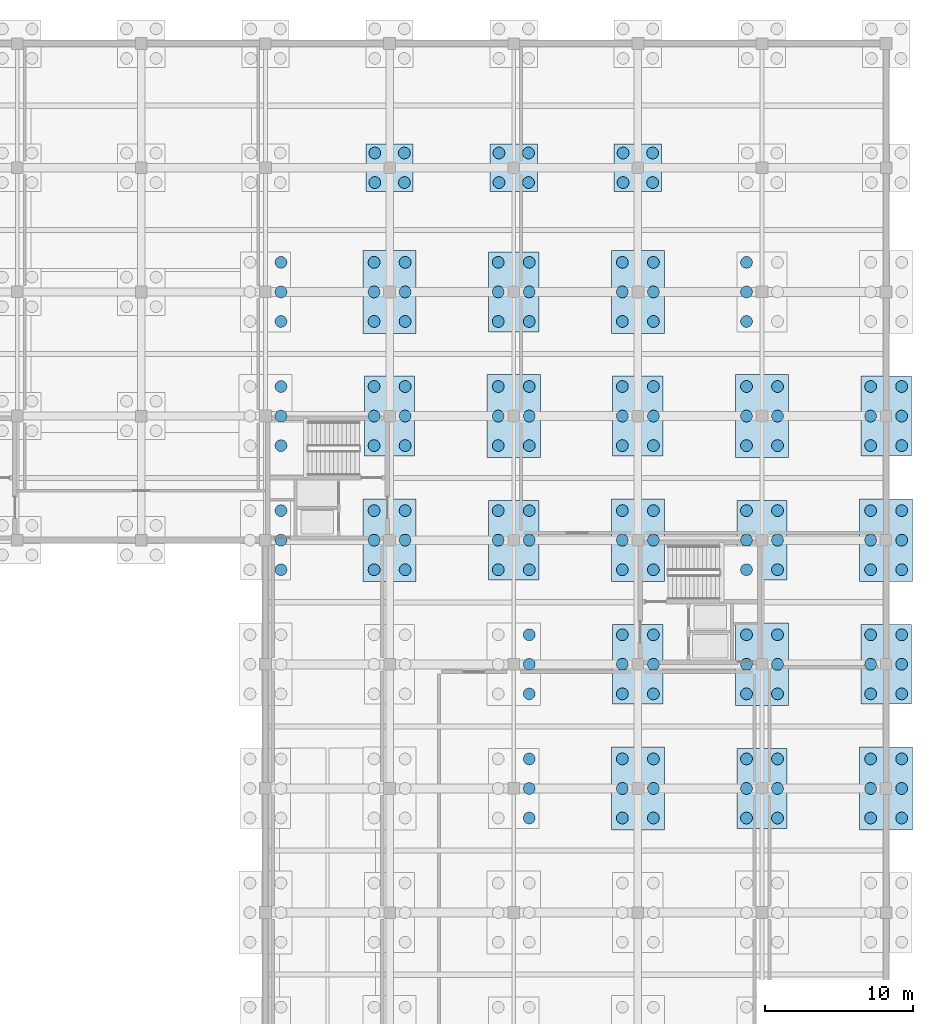
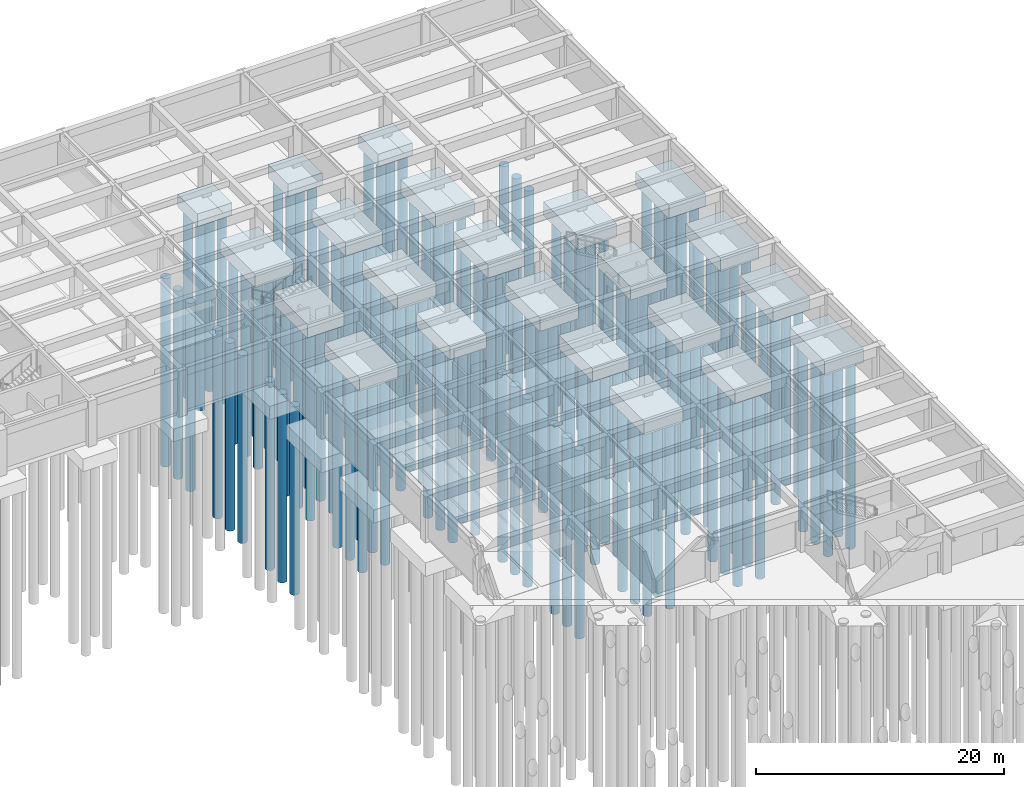
# One storey, part 6 of 33: 144 piles, 22 footings.
"""IFC4 building model written with IfcOpenShell, lengths in metres."""

from ifc_helpers import new_model, si_unit, direction, frame, origin, origin_2d, place, context, subcontext, project, spatial, rectangle, circle, extrude, material, material_profile, profile_set, type_object, element, save


model = new_model("IFC4")

# Units and contexts
model_context = context("Model", 3, precision=1e-05, world=origin(), true_north=direction((0.0, 1.0)))
body_context = subcontext(model_context, "Body", "Model", "MODEL_VIEW")
ifc_project = project(units=[si_unit("LENGTHUNIT", "METRE"), si_unit("AREAUNIT", "SQUARE_METRE"), si_unit("VOLUMEUNIT", "CUBIC_METRE"), si_unit("PLANEANGLEUNIT", "RADIAN"), si_unit("MASSUNIT", "GRAM", prefix="KILO")], contexts=[model_context])

# Site, building, storey
site_placement = place(None, origin())
site = spatial("IfcSite", under=ifc_project, at=site_placement, CompositionType="ELEMENT")
building_placement = place(site_placement, origin())
building = spatial("IfcBuilding", under=site, at=building_placement, Name="Kveldsbrygga Polytechnic", CompositionType="ELEMENT")
storey_placement = place(building_placement, frame((0.0, 0.0, -4.419921875)))
storey = spatial("IfcBuildingStorey", under=building, at=storey_placement, Name="B1", CompositionType="ELEMENT", Elevation=-4.419921875)

# Footings
ifc_material = material(Name="Concrete C45/55", Category="concrete")
footing_type_1 = type_object("IfcFootingType", Name="PC-4P-LRG", PredefinedType="PILE_CAP", material=ifc_material)
for number, where, z_axis, x_axis, name in (
    (1, (134.39990234375, 109.199951171875, -1.650146484375), (0.0, 0.0, 1.0), (1.0, 0.0, 0.0), "Foundation FND-16-13"),
    (2, (142.800048828125, 109.199951171875, -1.650146484375), (0.0, 0.0, 1.0), (1.0, 0.0, 0.0), "Foundation FND-17-13"),
    (3, (151.199951171875, 109.199951171875, -1.650146484375), (0.0, 0.0, 1.0), (1.0, 0.0, 0.0), "Foundation FND-18-13"),
):
    element("IfcFooting", number, at=place(storey_placement, frame(where, z_axis=z_axis, x_axis=x_axis)), inside=storey, type_object=footing_type_1, Name=name, PredefinedType="PILE_CAP", context=body_context, shape_type="SweptSolid", body=[
        extrude(rectangle(XDim=3.199951171875, YDim=3.199951171875, at=origin_2d()), origin(), (0.0, 0.0, 1.0), 1.25),
    ])
footing_type_2 = type_object("IfcFootingType", Name="PC-6P-CORE", PredefinedType="PILE_CAP", material=ifc_material)
for number, where, z_axis, x_axis, name in (
    (4, (134.39990234375, 84.0, -1.750244140625), (0.0, 0.0, 1.0), (1.0, 0.0, 0.0), "Foundation FND-16-10"),
    (5, (134.39990234375, 100.800048828125, -1.750244140625), (0.0, 0.0, 1.0), (1.0, 0.0, 0.0), "Foundation FND-16-12"),
    (6, (142.800048828125, 92.39990234375, -1.750244140625), (0.0, 0.0, 1.0), (1.0, 0.0, 0.0), "Foundation FND-17-11"),
    (7, (151.199951171875, 67.199951171875, -1.750244140625), (0.0, 0.0, 1.0), (1.0, 0.0, 0.0), "Foundation FND-18-08"),
    (8, (151.199951171875, 84.0, -1.750244140625), (0.0, 0.0, 1.0), (1.0, 0.0, 0.0), "Foundation FND-18-10"),
    (9, (151.199951171875, 100.800048828125, -1.750244140625), (0.0, 0.0, 1.0), (1.0, 0.0, 0.0), "Foundation FND-18-12"),
    (10, (159.60009765625, 75.60009765625, -1.750244140625), (0.0, 0.0, 1.0), (1.0, 0.0, 0.0), "Foundation FND-19-09"),
    (11, (159.60009765625, 92.39990234375, -1.750244140625), (0.0, 0.0, 1.0), (1.0, 0.0, 0.0), "Foundation FND-19-11"),
    (12, (168.0, 67.199951171875, -1.750244140625), (0.0, 0.0, 1.0), (1.0, 0.0, 0.0), "Foundation FND-20-08"),
    (13, (168.0, 84.0, -1.750244140625), (0.0, 0.0, 1.0), (1.0, 0.0, 0.0), "Foundation FND-20-10"),
):
    element("IfcFooting", number, at=place(storey_placement, frame(where, z_axis=z_axis, x_axis=x_axis)), inside=storey, type_object=footing_type_2, Name=name, PredefinedType="PILE_CAP", context=body_context, shape_type="SweptSolid", body=[
        extrude(rectangle(XDim=3.60009765625, YDim=5.60009765625, at=origin_2d()), origin(), (0.0, 0.0, 1.0), 1.35009765625),
    ])
footing_type_3 = type_object("IfcFootingType", Name="PC-6P-HEAVY", PredefinedType="PILE_CAP", material=ifc_material)
for number, where, z_axis, x_axis, name in (
    (14, (134.39990234375, 92.39990234375, -1.7001953125), (0.0, 0.0, 1.0), (1.0, 0.0, 0.0), "Foundation FND-16-11"),
    (15, (142.800048828125, 84.0, -1.7001953125), (0.0, 0.0, 1.0), (1.0, 0.0, 0.0), "Foundation FND-17-10"),
    (16, (142.800048828125, 100.800048828125, -1.7001953125), (0.0, 0.0, 1.0), (1.0, 0.0, 0.0), "Foundation FND-17-12"),
    (17, (151.199951171875, 75.60009765625, -1.7001953125), (0.0, 0.0, 1.0), (1.0, 0.0, 0.0), "Foundation FND-18-09"),
    (18, (151.199951171875, 92.39990234375, -1.7001953125), (0.0, 0.0, 1.0), (1.0, 0.0, 0.0), "Foundation FND-18-11"),
    (19, (159.60009765625, 67.199951171875, -1.7001953125), (0.0, 0.0, 1.0), (1.0, 0.0, 0.0), "Foundation FND-19-08"),
    (20, (159.60009765625, 84.0, -1.7001953125), (0.0, 0.0, 1.0), (1.0, 0.0, 0.0), "Foundation FND-19-10"),
    (21, (168.0, 75.60009765625, -1.7001953125), (0.0, 0.0, 1.0), (1.0, 0.0, 0.0), "Foundation FND-20-09"),
    (22, (168.0, 92.39990234375, -1.7001953125), (0.0, 0.0, 1.0), (1.0, 0.0, 0.0), "Foundation FND-20-11"),
):
    element("IfcFooting", number, at=place(storey_placement, frame(where, z_axis=z_axis, x_axis=x_axis)), inside=storey, type_object=footing_type_3, Name=name, PredefinedType="PILE_CAP", context=body_context, shape_type="SweptSolid", body=[
        extrude(rectangle(XDim=3.39990234375, YDim=5.39990234375, at=origin_2d()), origin(), (0.0, 0.0, 1.0), 1.300048828125),
    ])

# Piles
ifc_material_profile = material_profile(ifc_material, circle(Radius=0.39990234375, at=origin_2d()), Name="PILE D800")
ifc_profile_set = profile_set([ifc_material_profile], Name="Concrete C45/55")
pile_type = type_object("IfcPileType", Name="PILE-D800", PredefinedType="BORED", material=ifc_profile_set)
for number, where, z_axis, x_axis, name in (
    (23, (127.050048828125, 82.0, -1.550048828125), (0.0, 0.0, -1.0), (1.0, 0.0, 0.0), "Bored Pile PIL-15-10-2"),
    (24, (127.050048828125, 84.0, -1.550048828125), (0.0, 0.0, -1.0), (1.0, 0.0, 0.0), "Bored Pile PIL-15-10-4"),
    (25, (127.050048828125, 86.0, -1.550048828125), (0.0, 0.0, -1.0), (1.0, 0.0, 0.0), "Bored Pile PIL-15-10-6"),
):
    element("IfcPile", number, at=place(storey_placement, frame(where, z_axis=z_axis, x_axis=x_axis)), inside=storey, type_object=pile_type, Name=name, PredefinedType="BORED", context=body_context, shape_type="SweptSolid", body=[
        extrude(circle(Radius=0.39990234375, at=origin_2d()), origin(), (0.0, 0.0, 1.0), 18.530029296875),
    ])
for number, where, z_axis, x_axis, name in (
    (26, (127.050048828125, 90.39990234375, -1.60009765625), (0.0, 0.0, -1.0), (1.0, 0.0, 0.0), "Bored Pile PIL-15-11-2"),
    (27, (127.050048828125, 92.39990234375, -1.60009765625), (0.0, 0.0, -1.0), (1.0, 0.0, 0.0), "Bored Pile PIL-15-11-4"),
    (28, (127.050048828125, 94.39990234375, -1.60009765625), (0.0, 0.0, -1.0), (1.0, 0.0, 0.0), "Bored Pile PIL-15-11-6"),
):
    element("IfcPile", number, at=place(storey_placement, frame(where, z_axis=z_axis, x_axis=x_axis)), inside=storey, type_object=pile_type, Name=name, PredefinedType="BORED", context=body_context, shape_type="SweptSolid", body=[
        extrude(circle(Radius=0.39990234375, at=origin_2d()), origin(), (0.0, 0.0, 1.0), 18.47998046875),
    ])
for number, where, z_axis, x_axis, name in (
    (29, (127.050048828125, 98.800048828125, -1.550048828125), (0.0, 0.0, -1.0), (1.0, 0.0, 0.0), "Bored Pile PIL-15-12-2"),
    (30, (127.050048828125, 100.800048828125, -1.550048828125), (0.0, 0.0, -1.0), (1.0, 0.0, 0.0), "Bored Pile PIL-15-12-4"),
    (31, (127.050048828125, 102.800048828125, -1.550048828125), (0.0, 0.0, -1.0), (1.0, 0.0, 0.0), "Bored Pile PIL-15-12-6"),
):
    element("IfcPile", number, at=place(storey_placement, frame(where, z_axis=z_axis, x_axis=x_axis)), inside=storey, type_object=pile_type, Name=name, PredefinedType="BORED", context=body_context, shape_type="SweptSolid", body=[
        extrude(circle(Radius=0.39990234375, at=origin_2d()), origin(), (0.0, 0.0, 1.0), 18.530029296875),
    ])
for number, where, z_axis, x_axis, name in (
    (32, (133.35009765625, 82.0, -1.60009765625), (0.0, 0.0, -1.0), (1.0, 0.0, 0.0), "Bored Pile PIL-16-10-1"),
    (33, (135.449951171875, 82.0, -1.60009765625), (0.0, 0.0, -1.0), (1.0, 0.0, 0.0), "Bored Pile PIL-16-10-2"),
    (34, (133.35009765625, 84.0, -1.60009765625), (0.0, 0.0, -1.0), (1.0, 0.0, 0.0), "Bored Pile PIL-16-10-3"),
    (35, (135.449951171875, 84.0, -1.60009765625), (0.0, 0.0, -1.0), (1.0, 0.0, 0.0), "Bored Pile PIL-16-10-4"),
    (36, (133.35009765625, 86.0, -1.60009765625), (0.0, 0.0, -1.0), (1.0, 0.0, 0.0), "Bored Pile PIL-16-10-5"),
    (37, (135.449951171875, 86.0, -1.60009765625), (0.0, 0.0, -1.0), (1.0, 0.0, 0.0), "Bored Pile PIL-16-10-6"),
):
    element("IfcPile", number, at=place(storey_placement, frame(where, z_axis=z_axis, x_axis=x_axis)), inside=storey, type_object=pile_type, Name=name, PredefinedType="BORED", context=body_context, shape_type="SweptSolid", body=[
        extrude(circle(Radius=0.39990234375, at=origin_2d()), origin(), (0.0, 0.0, 1.0), 18.47998046875),
    ])
for number, where, z_axis, x_axis, name in (
    (38, (133.35009765625, 90.39990234375, -1.550048828125), (0.0, 0.0, -1.0), (1.0, 0.0, 0.0), "Bored Pile PIL-16-11-1"),
    (39, (135.449951171875, 90.39990234375, -1.550048828125), (0.0, 0.0, -1.0), (1.0, 0.0, 0.0), "Bored Pile PIL-16-11-2"),
    (40, (133.35009765625, 92.39990234375, -1.550048828125), (0.0, 0.0, -1.0), (1.0, 0.0, 0.0), "Bored Pile PIL-16-11-3"),
    (41, (135.449951171875, 92.39990234375, -1.550048828125), (0.0, 0.0, -1.0), (1.0, 0.0, 0.0), "Bored Pile PIL-16-11-4"),
    (42, (133.35009765625, 94.39990234375, -1.550048828125), (0.0, 0.0, -1.0), (1.0, 0.0, 0.0), "Bored Pile PIL-16-11-5"),
    (43, (135.449951171875, 94.39990234375, -1.550048828125), (0.0, 0.0, -1.0), (1.0, 0.0, 0.0), "Bored Pile PIL-16-11-6"),
):
    element("IfcPile", number, at=place(storey_placement, frame(where, z_axis=z_axis, x_axis=x_axis)), inside=storey, type_object=pile_type, Name=name, PredefinedType="BORED", context=body_context, shape_type="SweptSolid", body=[
        extrude(circle(Radius=0.39990234375, at=origin_2d()), origin(), (0.0, 0.0, 1.0), 18.530029296875),
    ])
for number, where, z_axis, x_axis, name in (
    (44, (133.35009765625, 98.800048828125, -1.60009765625), (0.0, 0.0, -1.0), (1.0, 0.0, 0.0), "Bored Pile PIL-16-12-1"),
    (45, (135.449951171875, 98.800048828125, -1.60009765625), (0.0, 0.0, -1.0), (1.0, 0.0, 0.0), "Bored Pile PIL-16-12-2"),
    (46, (133.35009765625, 100.800048828125, -1.60009765625), (0.0, 0.0, -1.0), (1.0, 0.0, 0.0), "Bored Pile PIL-16-12-3"),
    (47, (135.449951171875, 100.800048828125, -1.60009765625), (0.0, 0.0, -1.0), (1.0, 0.0, 0.0), "Bored Pile PIL-16-12-4"),
    (48, (133.35009765625, 102.800048828125, -1.60009765625), (0.0, 0.0, -1.0), (1.0, 0.0, 0.0), "Bored Pile PIL-16-12-5"),
    (49, (135.449951171875, 102.800048828125, -1.60009765625), (0.0, 0.0, -1.0), (1.0, 0.0, 0.0), "Bored Pile PIL-16-12-6"),
):
    element("IfcPile", number, at=place(storey_placement, frame(where, z_axis=z_axis, x_axis=x_axis)), inside=storey, type_object=pile_type, Name=name, PredefinedType="BORED", context=body_context, shape_type="SweptSolid", body=[
        extrude(circle(Radius=0.39990234375, at=origin_2d()), origin(), (0.0, 0.0, 1.0), 18.47998046875),
    ])
for number, where, z_axis, x_axis, name in (
    (50, (133.39990234375, 108.199951171875, -1.5), (0.0, 0.0, -1.0), (1.0, 0.0, 0.0), "Bored Pile PIL-16-13-1"),
    (51, (135.39990234375, 108.199951171875, -1.5), (0.0, 0.0, -1.0), (1.0, 0.0, 0.0), "Bored Pile PIL-16-13-2"),
    (52, (133.39990234375, 110.199951171875, -1.5), (0.0, 0.0, -1.0), (1.0, 0.0, 0.0), "Bored Pile PIL-16-13-3"),
    (53, (135.39990234375, 110.199951171875, -1.5), (0.0, 0.0, -1.0), (1.0, 0.0, 0.0), "Bored Pile PIL-16-13-4"),
):
    element("IfcPile", number, at=place(storey_placement, frame(where, z_axis=z_axis, x_axis=x_axis)), inside=storey, type_object=pile_type, Name=name, PredefinedType="BORED", context=body_context, shape_type="SweptSolid", body=[
        extrude(circle(Radius=0.39990234375, at=origin_2d()), origin(), (0.0, 0.0, 1.0), 18.580078125),
    ])
for number, where, z_axis, x_axis, name in (
    (54, (143.85009765625, 65.199951171875, -1.550048828125), (0.0, 0.0, -1.0), (1.0, 0.0, 0.0), "Bored Pile PIL-17-08-2"),
    (55, (143.85009765625, 67.199951171875, -1.550048828125), (0.0, 0.0, -1.0), (1.0, 0.0, 0.0), "Bored Pile PIL-17-08-4"),
    (56, (143.85009765625, 69.199951171875, -1.550048828125), (0.0, 0.0, -1.0), (1.0, 0.0, 0.0), "Bored Pile PIL-17-08-6"),
):
    element("IfcPile", number, at=place(storey_placement, frame(where, z_axis=z_axis, x_axis=x_axis)), inside=storey, type_object=pile_type, Name=name, PredefinedType="BORED", context=body_context, shape_type="SweptSolid", body=[
        extrude(circle(Radius=0.39990234375, at=origin_2d()), origin(), (0.0, 0.0, 1.0), 18.530029296875),
    ])
for number, where, z_axis, x_axis, name in (
    (57, (143.85009765625, 73.60009765625, -1.60009765625), (0.0, 0.0, -1.0), (1.0, 0.0, 0.0), "Bored Pile PIL-17-09-2"),
    (58, (143.85009765625, 75.60009765625, -1.60009765625), (0.0, 0.0, -1.0), (1.0, 0.0, 0.0), "Bored Pile PIL-17-09-4"),
    (59, (143.85009765625, 77.60009765625, -1.60009765625), (0.0, 0.0, -1.0), (1.0, 0.0, 0.0), "Bored Pile PIL-17-09-6"),
):
    element("IfcPile", number, at=place(storey_placement, frame(where, z_axis=z_axis, x_axis=x_axis)), inside=storey, type_object=pile_type, Name=name, PredefinedType="BORED", context=body_context, shape_type="SweptSolid", body=[
        extrude(circle(Radius=0.39990234375, at=origin_2d()), origin(), (0.0, 0.0, 1.0), 18.47998046875),
    ])
for number, where, z_axis, x_axis, name in (
    (60, (141.75, 82.0, -1.550048828125), (0.0, 0.0, -1.0), (1.0, 0.0, 0.0), "Bored Pile PIL-17-10-1"),
    (61, (143.85009765625, 82.0, -1.550048828125), (0.0, 0.0, -1.0), (1.0, 0.0, 0.0), "Bored Pile PIL-17-10-2"),
    (62, (141.75, 84.0, -1.550048828125), (0.0, 0.0, -1.0), (1.0, 0.0, 0.0), "Bored Pile PIL-17-10-3"),
    (63, (143.85009765625, 84.0, -1.550048828125), (0.0, 0.0, -1.0), (1.0, 0.0, 0.0), "Bored Pile PIL-17-10-4"),
    (64, (141.75, 86.0, -1.550048828125), (0.0, 0.0, -1.0), (1.0, 0.0, 0.0), "Bored Pile PIL-17-10-5"),
    (65, (143.85009765625, 86.0, -1.550048828125), (0.0, 0.0, -1.0), (1.0, 0.0, 0.0), "Bored Pile PIL-17-10-6"),
):
    element("IfcPile", number, at=place(storey_placement, frame(where, z_axis=z_axis, x_axis=x_axis)), inside=storey, type_object=pile_type, Name=name, PredefinedType="BORED", context=body_context, shape_type="SweptSolid", body=[
        extrude(circle(Radius=0.39990234375, at=origin_2d()), origin(), (0.0, 0.0, 1.0), 18.530029296875),
    ])
for number, where, z_axis, x_axis, name in (
    (66, (141.75, 90.39990234375, -1.60009765625), (0.0, 0.0, -1.0), (1.0, 0.0, 0.0), "Bored Pile PIL-17-11-1"),
    (67, (143.85009765625, 90.39990234375, -1.60009765625), (0.0, 0.0, -1.0), (1.0, 0.0, 0.0), "Bored Pile PIL-17-11-2"),
    (68, (141.75, 92.39990234375, -1.60009765625), (0.0, 0.0, -1.0), (1.0, 0.0, 0.0), "Bored Pile PIL-17-11-3"),
    (69, (143.85009765625, 92.39990234375, -1.60009765625), (0.0, 0.0, -1.0), (1.0, 0.0, 0.0), "Bored Pile PIL-17-11-4"),
    (70, (141.75, 94.39990234375, -1.60009765625), (0.0, 0.0, -1.0), (1.0, 0.0, 0.0), "Bored Pile PIL-17-11-5"),
    (71, (143.85009765625, 94.39990234375, -1.60009765625), (0.0, 0.0, -1.0), (1.0, 0.0, 0.0), "Bored Pile PIL-17-11-6"),
):
    element("IfcPile", number, at=place(storey_placement, frame(where, z_axis=z_axis, x_axis=x_axis)), inside=storey, type_object=pile_type, Name=name, PredefinedType="BORED", context=body_context, shape_type="SweptSolid", body=[
        extrude(circle(Radius=0.39990234375, at=origin_2d()), origin(), (0.0, 0.0, 1.0), 18.47998046875),
    ])
for number, where, z_axis, x_axis, name in (
    (72, (141.75, 98.800048828125, -1.550048828125), (0.0, 0.0, -1.0), (1.0, 0.0, 0.0), "Bored Pile PIL-17-12-1"),
    (73, (143.85009765625, 98.800048828125, -1.550048828125), (0.0, 0.0, -1.0), (1.0, 0.0, 0.0), "Bored Pile PIL-17-12-2"),
    (74, (141.75, 100.800048828125, -1.550048828125), (0.0, 0.0, -1.0), (1.0, 0.0, 0.0), "Bored Pile PIL-17-12-3"),
    (75, (143.85009765625, 100.800048828125, -1.550048828125), (0.0, 0.0, -1.0), (1.0, 0.0, 0.0), "Bored Pile PIL-17-12-4"),
    (76, (141.75, 102.800048828125, -1.550048828125), (0.0, 0.0, -1.0), (1.0, 0.0, 0.0), "Bored Pile PIL-17-12-5"),
    (77, (143.85009765625, 102.800048828125, -1.550048828125), (0.0, 0.0, -1.0), (1.0, 0.0, 0.0), "Bored Pile PIL-17-12-6"),
):
    element("IfcPile", number, at=place(storey_placement, frame(where, z_axis=z_axis, x_axis=x_axis)), inside=storey, type_object=pile_type, Name=name, PredefinedType="BORED", context=body_context, shape_type="SweptSolid", body=[
        extrude(circle(Radius=0.39990234375, at=origin_2d()), origin(), (0.0, 0.0, 1.0), 18.530029296875),
    ])
for number, where, z_axis, x_axis, name in (
    (78, (141.800048828125, 108.199951171875, -1.5), (0.0, 0.0, -1.0), (1.0, 0.0, 0.0), "Bored Pile PIL-17-13-1"),
    (79, (143.800048828125, 108.199951171875, -1.5), (0.0, 0.0, -1.0), (1.0, 0.0, 0.0), "Bored Pile PIL-17-13-2"),
    (80, (141.800048828125, 110.199951171875, -1.5), (0.0, 0.0, -1.0), (1.0, 0.0, 0.0), "Bored Pile PIL-17-13-3"),
    (81, (143.800048828125, 110.199951171875, -1.5), (0.0, 0.0, -1.0), (1.0, 0.0, 0.0), "Bored Pile PIL-17-13-4"),
):
    element("IfcPile", number, at=place(storey_placement, frame(where, z_axis=z_axis, x_axis=x_axis)), inside=storey, type_object=pile_type, Name=name, PredefinedType="BORED", context=body_context, shape_type="SweptSolid", body=[
        extrude(circle(Radius=0.39990234375, at=origin_2d()), origin(), (0.0, 0.0, 1.0), 18.580078125),
    ])
for number, where, z_axis, x_axis, name in (
    (82, (150.14990234375, 65.199951171875, -1.60009765625), (0.0, 0.0, -1.0), (1.0, 0.0, 0.0), "Bored Pile PIL-18-08-1"),
    (83, (152.25, 65.199951171875, -1.60009765625), (0.0, 0.0, -1.0), (1.0, 0.0, 0.0), "Bored Pile PIL-18-08-2"),
    (84, (150.14990234375, 67.199951171875, -1.60009765625), (0.0, 0.0, -1.0), (1.0, 0.0, 0.0), "Bored Pile PIL-18-08-3"),
    (85, (152.25, 67.199951171875, -1.60009765625), (0.0, 0.0, -1.0), (1.0, 0.0, 0.0), "Bored Pile PIL-18-08-4"),
    (86, (150.14990234375, 69.199951171875, -1.60009765625), (0.0, 0.0, -1.0), (1.0, 0.0, 0.0), "Bored Pile PIL-18-08-5"),
    (87, (152.25, 69.199951171875, -1.60009765625), (0.0, 0.0, -1.0), (1.0, 0.0, 0.0), "Bored Pile PIL-18-08-6"),
):
    element("IfcPile", number, at=place(storey_placement, frame(where, z_axis=z_axis, x_axis=x_axis)), inside=storey, type_object=pile_type, Name=name, PredefinedType="BORED", context=body_context, shape_type="SweptSolid", body=[
        extrude(circle(Radius=0.39990234375, at=origin_2d()), origin(), (0.0, 0.0, 1.0), 18.47998046875),
    ])
for number, where, z_axis, x_axis, name in (
    (88, (150.14990234375, 73.60009765625, -1.550048828125), (0.0, 0.0, -1.0), (1.0, 0.0, 0.0), "Bored Pile PIL-18-09-1"),
    (89, (152.25, 73.60009765625, -1.550048828125), (0.0, 0.0, -1.0), (1.0, 0.0, 0.0), "Bored Pile PIL-18-09-2"),
    (90, (150.14990234375, 75.60009765625, -1.550048828125), (0.0, 0.0, -1.0), (1.0, 0.0, 0.0), "Bored Pile PIL-18-09-3"),
    (91, (152.25, 75.60009765625, -1.550048828125), (0.0, 0.0, -1.0), (1.0, 0.0, 0.0), "Bored Pile PIL-18-09-4"),
    (92, (150.14990234375, 77.60009765625, -1.550048828125), (0.0, 0.0, -1.0), (1.0, 0.0, 0.0), "Bored Pile PIL-18-09-5"),
    (93, (152.25, 77.60009765625, -1.550048828125), (0.0, 0.0, -1.0), (1.0, 0.0, 0.0), "Bored Pile PIL-18-09-6"),
):
    element("IfcPile", number, at=place(storey_placement, frame(where, z_axis=z_axis, x_axis=x_axis)), inside=storey, type_object=pile_type, Name=name, PredefinedType="BORED", context=body_context, shape_type="SweptSolid", body=[
        extrude(circle(Radius=0.39990234375, at=origin_2d()), origin(), (0.0, 0.0, 1.0), 18.530029296875),
    ])
for number, where, z_axis, x_axis, name in (
    (94, (150.14990234375, 82.0, -1.60009765625), (0.0, 0.0, -1.0), (1.0, 0.0, 0.0), "Bored Pile PIL-18-10-1"),
    (95, (152.25, 82.0, -1.60009765625), (0.0, 0.0, -1.0), (1.0, 0.0, 0.0), "Bored Pile PIL-18-10-2"),
    (96, (150.14990234375, 84.0, -1.60009765625), (0.0, 0.0, -1.0), (1.0, 0.0, 0.0), "Bored Pile PIL-18-10-3"),
    (97, (152.25, 84.0, -1.60009765625), (0.0, 0.0, -1.0), (1.0, 0.0, 0.0), "Bored Pile PIL-18-10-4"),
    (98, (150.14990234375, 86.0, -1.60009765625), (0.0, 0.0, -1.0), (1.0, 0.0, 0.0), "Bored Pile PIL-18-10-5"),
    (99, (152.25, 86.0, -1.60009765625), (0.0, 0.0, -1.0), (1.0, 0.0, 0.0), "Bored Pile PIL-18-10-6"),
):
    element("IfcPile", number, at=place(storey_placement, frame(where, z_axis=z_axis, x_axis=x_axis)), inside=storey, type_object=pile_type, Name=name, PredefinedType="BORED", context=body_context, shape_type="SweptSolid", body=[
        extrude(circle(Radius=0.39990234375, at=origin_2d()), origin(), (0.0, 0.0, 1.0), 18.47998046875),
    ])
for number, where, z_axis, x_axis, name in (
    (100, (150.14990234375, 90.39990234375, -1.550048828125), (0.0, 0.0, -1.0), (1.0, 0.0, 0.0), "Bored Pile PIL-18-11-1"),
    (101, (152.25, 90.39990234375, -1.550048828125), (0.0, 0.0, -1.0), (1.0, 0.0, 0.0), "Bored Pile PIL-18-11-2"),
    (102, (150.14990234375, 92.39990234375, -1.550048828125), (0.0, 0.0, -1.0), (1.0, 0.0, 0.0), "Bored Pile PIL-18-11-3"),
    (103, (152.25, 92.39990234375, -1.550048828125), (0.0, 0.0, -1.0), (1.0, 0.0, 0.0), "Bored Pile PIL-18-11-4"),
    (104, (150.14990234375, 94.39990234375, -1.550048828125), (0.0, 0.0, -1.0), (1.0, 0.0, 0.0), "Bored Pile PIL-18-11-5"),
    (105, (152.25, 94.39990234375, -1.550048828125), (0.0, 0.0, -1.0), (1.0, 0.0, 0.0), "Bored Pile PIL-18-11-6"),
):
    element("IfcPile", number, at=place(storey_placement, frame(where, z_axis=z_axis, x_axis=x_axis)), inside=storey, type_object=pile_type, Name=name, PredefinedType="BORED", context=body_context, shape_type="SweptSolid", body=[
        extrude(circle(Radius=0.39990234375, at=origin_2d()), origin(), (0.0, 0.0, 1.0), 18.530029296875),
    ])
for number, where, z_axis, x_axis, name in (
    (106, (150.14990234375, 98.800048828125, -1.60009765625), (0.0, 0.0, -1.0), (1.0, 0.0, 0.0), "Bored Pile PIL-18-12-1"),
    (107, (152.25, 98.800048828125, -1.60009765625), (0.0, 0.0, -1.0), (1.0, 0.0, 0.0), "Bored Pile PIL-18-12-2"),
    (108, (150.14990234375, 100.800048828125, -1.60009765625), (0.0, 0.0, -1.0), (1.0, 0.0, 0.0), "Bored Pile PIL-18-12-3"),
    (109, (152.25, 100.800048828125, -1.60009765625), (0.0, 0.0, -1.0), (1.0, 0.0, 0.0), "Bored Pile PIL-18-12-4"),
    (110, (150.14990234375, 102.800048828125, -1.60009765625), (0.0, 0.0, -1.0), (1.0, 0.0, 0.0), "Bored Pile PIL-18-12-5"),
    (111, (152.25, 102.800048828125, -1.60009765625), (0.0, 0.0, -1.0), (1.0, 0.0, 0.0), "Bored Pile PIL-18-12-6"),
):
    element("IfcPile", number, at=place(storey_placement, frame(where, z_axis=z_axis, x_axis=x_axis)), inside=storey, type_object=pile_type, Name=name, PredefinedType="BORED", context=body_context, shape_type="SweptSolid", body=[
        extrude(circle(Radius=0.39990234375, at=origin_2d()), origin(), (0.0, 0.0, 1.0), 18.47998046875),
    ])
for number, where, z_axis, x_axis, name in (
    (112, (150.199951171875, 108.199951171875, -1.5), (0.0, 0.0, -1.0), (1.0, 0.0, 0.0), "Bored Pile PIL-18-13-1"),
    (113, (152.199951171875, 108.199951171875, -1.5), (0.0, 0.0, -1.0), (1.0, 0.0, 0.0), "Bored Pile PIL-18-13-2"),
    (114, (150.199951171875, 110.199951171875, -1.5), (0.0, 0.0, -1.0), (1.0, 0.0, 0.0), "Bored Pile PIL-18-13-3"),
    (115, (152.199951171875, 110.199951171875, -1.5), (0.0, 0.0, -1.0), (1.0, 0.0, 0.0), "Bored Pile PIL-18-13-4"),
):
    element("IfcPile", number, at=place(storey_placement, frame(where, z_axis=z_axis, x_axis=x_axis)), inside=storey, type_object=pile_type, Name=name, PredefinedType="BORED", context=body_context, shape_type="SweptSolid", body=[
        extrude(circle(Radius=0.39990234375, at=origin_2d()), origin(), (0.0, 0.0, 1.0), 18.580078125),
    ])
for number, where, z_axis, x_axis, name in (
    (116, (158.550048828125, 65.199951171875, -1.550048828125), (0.0, 0.0, -1.0), (1.0, 0.0, 0.0), "Bored Pile PIL-19-08-1"),
    (117, (160.64990234375, 65.199951171875, -1.550048828125), (0.0, 0.0, -1.0), (1.0, 0.0, 0.0), "Bored Pile PIL-19-08-2"),
    (118, (158.550048828125, 67.199951171875, -1.550048828125), (0.0, 0.0, -1.0), (1.0, 0.0, 0.0), "Bored Pile PIL-19-08-3"),
    (119, (160.64990234375, 67.199951171875, -1.550048828125), (0.0, 0.0, -1.0), (1.0, 0.0, 0.0), "Bored Pile PIL-19-08-4"),
    (120, (158.550048828125, 69.199951171875, -1.550048828125), (0.0, 0.0, -1.0), (1.0, 0.0, 0.0), "Bored Pile PIL-19-08-5"),
    (121, (160.64990234375, 69.199951171875, -1.550048828125), (0.0, 0.0, -1.0), (1.0, 0.0, 0.0), "Bored Pile PIL-19-08-6"),
):
    element("IfcPile", number, at=place(storey_placement, frame(where, z_axis=z_axis, x_axis=x_axis)), inside=storey, type_object=pile_type, Name=name, PredefinedType="BORED", context=body_context, shape_type="SweptSolid", body=[
        extrude(circle(Radius=0.39990234375, at=origin_2d()), origin(), (0.0, 0.0, 1.0), 18.530029296875),
    ])
for number, where, z_axis, x_axis, name in (
    (122, (158.550048828125, 73.60009765625, -1.60009765625), (0.0, 0.0, -1.0), (1.0, 0.0, 0.0), "Bored Pile PIL-19-09-1"),
    (123, (160.64990234375, 73.60009765625, -1.60009765625), (0.0, 0.0, -1.0), (1.0, 0.0, 0.0), "Bored Pile PIL-19-09-2"),
    (124, (158.550048828125, 75.60009765625, -1.60009765625), (0.0, 0.0, -1.0), (1.0, 0.0, 0.0), "Bored Pile PIL-19-09-3"),
    (125, (160.64990234375, 75.60009765625, -1.60009765625), (0.0, 0.0, -1.0), (1.0, 0.0, 0.0), "Bored Pile PIL-19-09-4"),
    (126, (158.550048828125, 77.60009765625, -1.60009765625), (0.0, 0.0, -1.0), (1.0, 0.0, 0.0), "Bored Pile PIL-19-09-5"),
    (127, (160.64990234375, 77.60009765625, -1.60009765625), (0.0, 0.0, -1.0), (1.0, 0.0, 0.0), "Bored Pile PIL-19-09-6"),
):
    element("IfcPile", number, at=place(storey_placement, frame(where, z_axis=z_axis, x_axis=x_axis)), inside=storey, type_object=pile_type, Name=name, PredefinedType="BORED", context=body_context, shape_type="SweptSolid", body=[
        extrude(circle(Radius=0.39990234375, at=origin_2d()), origin(), (0.0, 0.0, 1.0), 18.47998046875),
    ])
for number, where, z_axis, x_axis, name in (
    (128, (158.550048828125, 82.0, -1.550048828125), (0.0, 0.0, -1.0), (1.0, 0.0, 0.0), "Bored Pile PIL-19-10-1"),
    (129, (160.64990234375, 82.0, -1.550048828125), (0.0, 0.0, -1.0), (1.0, 0.0, 0.0), "Bored Pile PIL-19-10-2"),
    (130, (158.550048828125, 84.0, -1.550048828125), (0.0, 0.0, -1.0), (1.0, 0.0, 0.0), "Bored Pile PIL-19-10-3"),
    (131, (160.64990234375, 84.0, -1.550048828125), (0.0, 0.0, -1.0), (1.0, 0.0, 0.0), "Bored Pile PIL-19-10-4"),
    (132, (158.550048828125, 86.0, -1.550048828125), (0.0, 0.0, -1.0), (1.0, 0.0, 0.0), "Bored Pile PIL-19-10-5"),
    (133, (160.64990234375, 86.0, -1.550048828125), (0.0, 0.0, -1.0), (1.0, 0.0, 0.0), "Bored Pile PIL-19-10-6"),
):
    element("IfcPile", number, at=place(storey_placement, frame(where, z_axis=z_axis, x_axis=x_axis)), inside=storey, type_object=pile_type, Name=name, PredefinedType="BORED", context=body_context, shape_type="SweptSolid", body=[
        extrude(circle(Radius=0.39990234375, at=origin_2d()), origin(), (0.0, 0.0, 1.0), 18.530029296875),
    ])
for number, where, z_axis, x_axis, name in (
    (134, (158.550048828125, 90.39990234375, -1.60009765625), (0.0, 0.0, -1.0), (1.0, 0.0, 0.0), "Bored Pile PIL-19-11-1"),
    (135, (160.64990234375, 90.39990234375, -1.60009765625), (0.0, 0.0, -1.0), (1.0, 0.0, 0.0), "Bored Pile PIL-19-11-2"),
    (136, (158.550048828125, 92.39990234375, -1.60009765625), (0.0, 0.0, -1.0), (1.0, 0.0, 0.0), "Bored Pile PIL-19-11-3"),
    (137, (160.64990234375, 92.39990234375, -1.60009765625), (0.0, 0.0, -1.0), (1.0, 0.0, 0.0), "Bored Pile PIL-19-11-4"),
    (138, (158.550048828125, 94.39990234375, -1.60009765625), (0.0, 0.0, -1.0), (1.0, 0.0, 0.0), "Bored Pile PIL-19-11-5"),
    (139, (160.64990234375, 94.39990234375, -1.60009765625), (0.0, 0.0, -1.0), (1.0, 0.0, 0.0), "Bored Pile PIL-19-11-6"),
):
    element("IfcPile", number, at=place(storey_placement, frame(where, z_axis=z_axis, x_axis=x_axis)), inside=storey, type_object=pile_type, Name=name, PredefinedType="BORED", context=body_context, shape_type="SweptSolid", body=[
        extrude(circle(Radius=0.39990234375, at=origin_2d()), origin(), (0.0, 0.0, 1.0), 18.47998046875),
    ])
for number, where, z_axis, x_axis, name in (
    (140, (158.550048828125, 98.800048828125, -1.550048828125), (0.0, 0.0, -1.0), (1.0, 0.0, 0.0), "Bored Pile PIL-19-12-1"),
    (141, (158.550048828125, 100.800048828125, -1.550048828125), (0.0, 0.0, -1.0), (1.0, 0.0, 0.0), "Bored Pile PIL-19-12-3"),
    (142, (158.550048828125, 102.800048828125, -1.550048828125), (0.0, 0.0, -1.0), (1.0, 0.0, 0.0), "Bored Pile PIL-19-12-5"),
):
    element("IfcPile", number, at=place(storey_placement, frame(where, z_axis=z_axis, x_axis=x_axis)), inside=storey, type_object=pile_type, Name=name, PredefinedType="BORED", context=body_context, shape_type="SweptSolid", body=[
        extrude(circle(Radius=0.39990234375, at=origin_2d()), origin(), (0.0, 0.0, 1.0), 18.530029296875),
    ])
for number, where, z_axis, x_axis, name in (
    (143, (166.949951171875, 65.199951171875, -1.60009765625), (0.0, 0.0, -1.0), (1.0, 0.0, 0.0), "Bored Pile PIL-20-08-1"),
    (144, (169.050048828125, 65.199951171875, -1.60009765625), (0.0, 0.0, -1.0), (1.0, 0.0, 0.0), "Bored Pile PIL-20-08-2"),
    (145, (166.949951171875, 67.199951171875, -1.60009765625), (0.0, 0.0, -1.0), (1.0, 0.0, 0.0), "Bored Pile PIL-20-08-3"),
    (146, (169.050048828125, 67.199951171875, -1.60009765625), (0.0, 0.0, -1.0), (1.0, 0.0, 0.0), "Bored Pile PIL-20-08-4"),
    (147, (166.949951171875, 69.199951171875, -1.60009765625), (0.0, 0.0, -1.0), (1.0, 0.0, 0.0), "Bored Pile PIL-20-08-5"),
    (148, (169.050048828125, 69.199951171875, -1.60009765625), (0.0, 0.0, -1.0), (1.0, 0.0, 0.0), "Bored Pile PIL-20-08-6"),
):
    element("IfcPile", number, at=place(storey_placement, frame(where, z_axis=z_axis, x_axis=x_axis)), inside=storey, type_object=pile_type, Name=name, PredefinedType="BORED", context=body_context, shape_type="SweptSolid", body=[
        extrude(circle(Radius=0.39990234375, at=origin_2d()), origin(), (0.0, 0.0, 1.0), 18.47998046875),
    ])
for number, where, z_axis, x_axis, name in (
    (149, (166.949951171875, 73.60009765625, -1.550048828125), (0.0, 0.0, -1.0), (1.0, 0.0, 0.0), "Bored Pile PIL-20-09-1"),
    (150, (169.050048828125, 73.60009765625, -1.550048828125), (0.0, 0.0, -1.0), (1.0, 0.0, 0.0), "Bored Pile PIL-20-09-2"),
    (151, (166.949951171875, 75.60009765625, -1.550048828125), (0.0, 0.0, -1.0), (1.0, 0.0, 0.0), "Bored Pile PIL-20-09-3"),
    (152, (169.050048828125, 75.60009765625, -1.550048828125), (0.0, 0.0, -1.0), (1.0, 0.0, 0.0), "Bored Pile PIL-20-09-4"),
    (153, (166.949951171875, 77.60009765625, -1.550048828125), (0.0, 0.0, -1.0), (1.0, 0.0, 0.0), "Bored Pile PIL-20-09-5"),
    (154, (169.050048828125, 77.60009765625, -1.550048828125), (0.0, 0.0, -1.0), (1.0, 0.0, 0.0), "Bored Pile PIL-20-09-6"),
):
    element("IfcPile", number, at=place(storey_placement, frame(where, z_axis=z_axis, x_axis=x_axis)), inside=storey, type_object=pile_type, Name=name, PredefinedType="BORED", context=body_context, shape_type="SweptSolid", body=[
        extrude(circle(Radius=0.39990234375, at=origin_2d()), origin(), (0.0, 0.0, 1.0), 18.530029296875),
    ])
for number, where, z_axis, x_axis, name in (
    (155, (166.949951171875, 82.0, -1.60009765625), (0.0, 0.0, -1.0), (1.0, 0.0, 0.0), "Bored Pile PIL-20-10-1"),
    (156, (169.050048828125, 82.0, -1.60009765625), (0.0, 0.0, -1.0), (1.0, 0.0, 0.0), "Bored Pile PIL-20-10-2"),
    (157, (166.949951171875, 84.0, -1.60009765625), (0.0, 0.0, -1.0), (1.0, 0.0, 0.0), "Bored Pile PIL-20-10-3"),
    (158, (169.050048828125, 84.0, -1.60009765625), (0.0, 0.0, -1.0), (1.0, 0.0, 0.0), "Bored Pile PIL-20-10-4"),
    (159, (166.949951171875, 86.0, -1.60009765625), (0.0, 0.0, -1.0), (1.0, 0.0, 0.0), "Bored Pile PIL-20-10-5"),
    (160, (169.050048828125, 86.0, -1.60009765625), (0.0, 0.0, -1.0), (1.0, 0.0, 0.0), "Bored Pile PIL-20-10-6"),
):
    element("IfcPile", number, at=place(storey_placement, frame(where, z_axis=z_axis, x_axis=x_axis)), inside=storey, type_object=pile_type, Name=name, PredefinedType="BORED", context=body_context, shape_type="SweptSolid", body=[
        extrude(circle(Radius=0.39990234375, at=origin_2d()), origin(), (0.0, 0.0, 1.0), 18.47998046875),
    ])
for number, where, z_axis, x_axis, name in (
    (161, (166.949951171875, 90.39990234375, -1.550048828125), (0.0, 0.0, -1.0), (1.0, 0.0, 0.0), "Bored Pile PIL-20-11-1"),
    (162, (169.050048828125, 90.39990234375, -1.550048828125), (0.0, 0.0, -1.0), (1.0, 0.0, 0.0), "Bored Pile PIL-20-11-2"),
    (163, (166.949951171875, 92.39990234375, -1.550048828125), (0.0, 0.0, -1.0), (1.0, 0.0, 0.0), "Bored Pile PIL-20-11-3"),
    (164, (169.050048828125, 92.39990234375, -1.550048828125), (0.0, 0.0, -1.0), (1.0, 0.0, 0.0), "Bored Pile PIL-20-11-4"),
    (165, (166.949951171875, 94.39990234375, -1.550048828125), (0.0, 0.0, -1.0), (1.0, 0.0, 0.0), "Bored Pile PIL-20-11-5"),
    (166, (169.050048828125, 94.39990234375, -1.550048828125), (0.0, 0.0, -1.0), (1.0, 0.0, 0.0), "Bored Pile PIL-20-11-6"),
):
    element("IfcPile", number, at=place(storey_placement, frame(where, z_axis=z_axis, x_axis=x_axis)), inside=storey, type_object=pile_type, Name=name, PredefinedType="BORED", context=body_context, shape_type="SweptSolid", body=[
        extrude(circle(Radius=0.39990234375, at=origin_2d()), origin(), (0.0, 0.0, 1.0), 18.530029296875),
    ])

save(model, "model.ifc")
